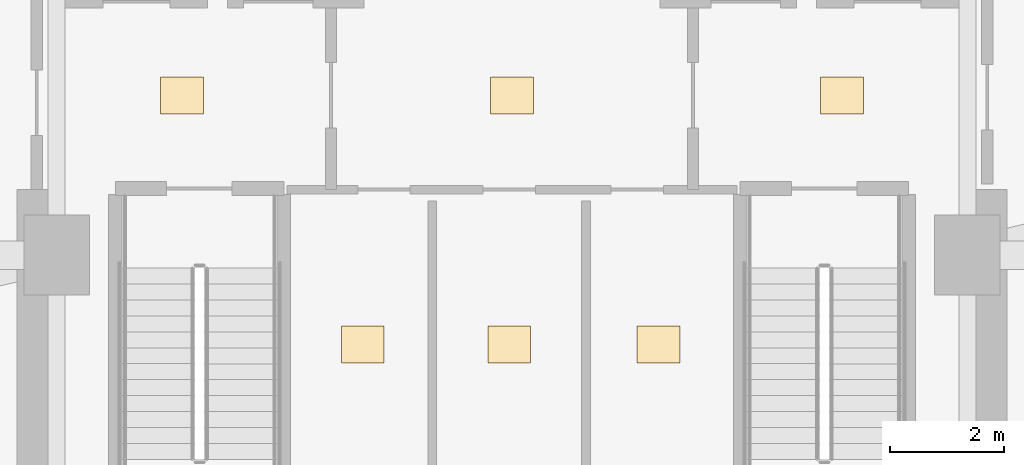
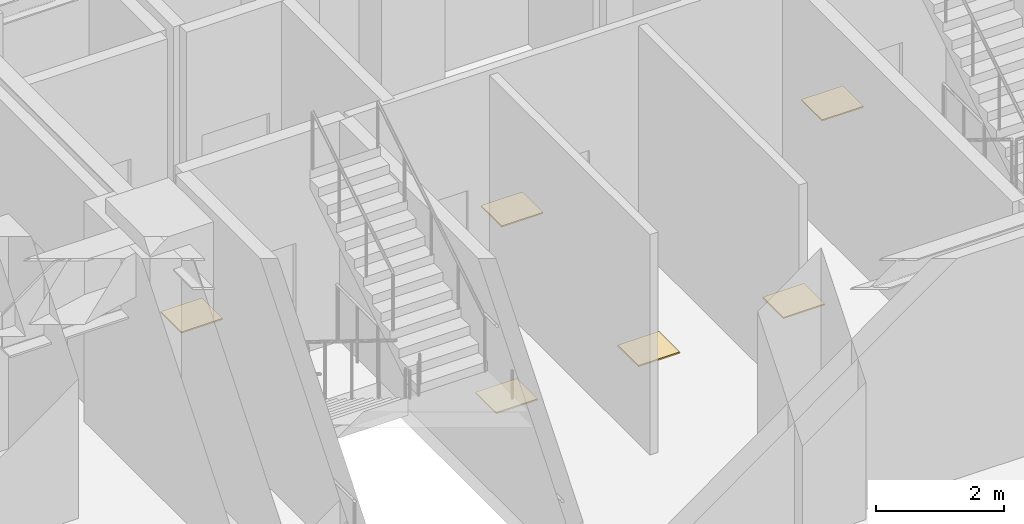
# One storey, part 9 of 9: 6 coverings.
"""IFC4 building model written with IfcOpenShell, lengths in metres."""

import ifcopenshell
import ifcopenshell.guid

model = None  # the IFC model being written
_history = None  # IfcOwnerHistory: only IFC2X3 demands one
_inside = {}  # id of a spatial element -> (the spatial element, [elements in it])
_under = {}  # id of a project, library or spatial element -> (it, [spatial elements below it])
_declared = {}  # id of a project -> (the project, [libraries it declares])
_typed = {}  # id of a type object -> (the type object, [elements of that type])
_made_of = {}  # id of a material, layer set ... -> (it, [elements and type objects made of it])


def new_model(schema):
    """Start an empty IFC model of exactly this schema.

    Asked for "IFC4X3", IfcOpenShell would pick the latest addendum, in which some entities
    have other attributes; the version numbers below select the first issue.
    IFC2X3 requires an IfcOwnerHistory on every rooted entity: one is made here for all.
    """
    global model, _history
    if schema == "IFC4X3":
        model = ifcopenshell.file(schema_version=(4, 3, 0, 0))
    else:
        model = ifcopenshell.file(schema=schema)
    _inside.clear()
    _under.clear()
    _declared.clear()
    _typed.clear()
    _made_of.clear()
    _history = None
    if model.schema == "IFC2X3":
        org = make("IfcOrganization", Name="unknown")
        user = make(
            "IfcPersonAndOrganization",
            ThePerson=make("IfcPerson", FamilyName="unknown"),
            TheOrganization=org,
        )
        app = make(
            "IfcApplication",
            ApplicationDeveloper=org,
            Version="unknown",
            ApplicationFullName="unknown",
            ApplicationIdentifier="unknown",
        )
        _history = make(
            "IfcOwnerHistory",
            OwningUser=user,
            OwningApplication=app,
            ChangeAction="ADDED",
            CreationDate=0,
        )
    return model


def make(cls, **values):
    """One entity of the class cls with the attributes given. An attribute that is None is left unset."""
    return model.create_entity(
        cls, **{name: value for name, value in values.items() if value is not None}
    )


def rooted(cls, **values):
    """An entity with a GlobalId (a new one), such as an element, a storey or a relation."""
    return make(cls, GlobalId=ifcopenshell.guid.new(), OwnerHistory=_history, **values)


def si_unit(unit_type, name, prefix=None):
    """IfcSIUnit, for example si_unit("LENGTHUNIT", "METRE", prefix="MILLI")."""
    return make("IfcSIUnit", UnitType=unit_type, Prefix=prefix, Name=name)


def assignment(units):
    """IfcUnitAssignment: the units of a project."""
    return None if units is None else make("IfcUnitAssignment", Units=units)


def point(xyz):
    """IfcCartesianPoint."""
    return None if xyz is None else make("IfcCartesianPoint", Coordinates=xyz)


def direction(xyz):
    """IfcDirection."""
    return None if xyz is None else make("IfcDirection", DirectionRatios=xyz)


def frame(location, z_axis=None, x_axis=None):
    """IfcAxis2Placement3D, a coordinate frame: its origin and axes. An axis left out is left unset."""
    return make(
        "IfcAxis2Placement3D",
        Location=point(location),
        Axis=direction(z_axis),
        RefDirection=direction(x_axis),
    )


def frame_2d(location, x_axis=None):
    """IfcAxis2Placement2D, a coordinate frame in the plane: its origin and x axis."""
    return make(
        "IfcAxis2Placement2D", Location=point(location), RefDirection=direction(x_axis)
    )


def origin():
    """The frame at (0, 0, 0) with its axes left unset."""
    return frame((0.0, 0.0, 0.0))


def origin_2d():
    """The frame at (0, 0) in the plane with its x axis left unset."""
    return frame_2d((0.0, 0.0))


def place(relative_to, where):
    """IfcLocalPlacement: puts the frame where relative to a parent placement (None: the world)."""
    return make(
        "IfcLocalPlacement", PlacementRelTo=relative_to, RelativePlacement=where
    )


def context(
    kind, dimensions, precision=None, world=None, true_north=None, identifier=None
):
    """IfcGeometricRepresentationContext, for example the 3D "Model" context."""
    return make(
        "IfcGeometricRepresentationContext",
        ContextIdentifier=identifier,
        ContextType=kind,
        CoordinateSpaceDimension=dimensions,
        Precision=precision,
        WorldCoordinateSystem=world,
        TrueNorth=true_north,
    )


def subcontext(parent, identifier, kind, view, scale=None):
    """IfcGeometricRepresentationSubContext, for example "Body" below "Model"."""
    return make(
        "IfcGeometricRepresentationSubContext",
        ContextIdentifier=identifier,
        ContextType=kind,
        ParentContext=parent,
        TargetScale=scale,
        TargetView=view,
    )


def project(units=None, contexts=None):
    """IfcProject with its units and contexts."""
    return rooted(
        "IfcProject",
        Name="project",
        RepresentationContexts=contexts,
        UnitsInContext=assignment(units),
    )


def spatial(cls, under=None, at=None, **own):
    """A site, building, storey or space (cls), placed at a placement, below another one or the project."""
    s = rooted(cls, ObjectPlacement=at, **own)
    if under is not None:
        _under.setdefault(under.id(), (under, []))[1].append(s)
    return s


def profile(cls, at=None, kind="AREA", **sizes):
    """A parametric profile (cls). Its sizes go by their IFC names, for example OverallWidth=200.0."""
    return make(cls, ProfileType=kind, Position=at, **sizes)


def rectangle(**sizes):
    """IfcRectangleProfileDef."""
    return profile("IfcRectangleProfileDef", **sizes)


def extrude(swept, where, along, depth):
    """IfcExtrudedAreaSolid: the profile swept, set in the frame where, extruded along a direction by depth."""
    return make(
        "IfcExtrudedAreaSolid",
        SweptArea=swept,
        Position=where,
        ExtrudedDirection=direction(along),
        Depth=depth,
    )


def shape(context_of_items, identifier, shape_type, items):
    """IfcShapeRepresentation: the items that make up one representation, for example the "Body"."""
    return make(
        "IfcShapeRepresentation",
        ContextOfItems=context_of_items,
        RepresentationIdentifier=identifier,
        RepresentationType=shape_type,
        Items=items,
    )


def material(Name=None, Category=None):
    """IfcMaterial."""
    return make("IfcMaterial", Name=Name, Category=Category)


def layer(
    of_material, thickness, ventilated=None, Name=None, Category=None, Priority=None
):
    """IfcMaterialLayer: one layer of a wall or slab, of a material (None: an air gap)."""
    return make(
        "IfcMaterialLayer",
        Material=of_material,
        LayerThickness=thickness,
        IsVentilated=ventilated,
        Name=Name,
        Category=Category,
        Priority=Priority,
    )


def layer_set(layers, Name=None):
    """IfcMaterialLayerSet."""
    return make("IfcMaterialLayerSet", MaterialLayers=layers, LayerSetName=Name)


def made_of(thing, what):
    """Note that an element or type object is made of a material, layer set ...; save() writes the relation."""
    if what is not None:
        _made_of.setdefault(what.id(), (what, []))[1].append(thing)
    return thing


def type_object(cls, material=None, **own):
    """A type object (cls), such as IfcWallType, which elements share."""
    return made_of(rooted(cls, **own), material)


def element(
    cls,
    number,
    at=None,
    inside=None,
    cuts=None,
    type_object=None,
    material=None,
    context=None,
    identifier="Body",
    shape_type=None,
    held_by="IfcProductDefinitionShape",
    body=None,
    shapes=None,
    **own,
):
    """One element of the class cls, such as IfcWall. Its Tag is "e" and its number.

    at: its placement. inside: the storey or other place that contains it. cuts: it is an
    opening in that element (IfcRelVoidsElement). A single representation is given by context,
    identifier, shape_type and body (its items); several are given by shapes. held_by: the class
    of the entity that holds the representations. save() writes the other relations.
    """
    e = rooted(cls, Tag="e%d" % number, ObjectPlacement=at, **own)
    if body is not None:
        shapes = [shape(context, identifier, shape_type, body)]
    if shapes is not None:
        e.Representation = make(held_by, Representations=shapes)
    if inside is not None:
        _inside.setdefault(inside.id(), (inside, []))[1].append(e)
    if cuts is not None:
        rooted(
            "IfcRelVoidsElement", RelatingBuildingElement=cuts, RelatedOpeningElement=e
        )
    if type_object is not None:
        _typed.setdefault(type_object.id(), (type_object, []))[1].append(e)
    return made_of(e, material)


def aggregate(whole, parts):
    """IfcRelAggregates: a whole, such as a stair, and the parts it consists of."""
    return rooted("IfcRelAggregates", RelatingObject=whole, RelatedObjects=parts)


def save(model, path):
    """Write the relations noted so far, then the file.

    IfcRelAggregates (storeys below a building ...), IfcRelContainedInSpatialStructure (elements
    in a storey), IfcRelDefinesByType, IfcRelAssociatesMaterial and IfcRelDeclares: one each for
    every whole, place, type object, material and project.
    """
    for whole, parts in _under.values():
        aggregate(whole, parts)
    for where, things in _inside.values():
        rooted(
            "IfcRelContainedInSpatialStructure",
            RelatedElements=things,
            RelatingStructure=where,
        )
    for kind, things in _typed.values():
        rooted("IfcRelDefinesByType", RelatedObjects=things, RelatingType=kind)
    for what, things in _made_of.values():
        rooted("IfcRelAssociatesMaterial", RelatedObjects=things, RelatingMaterial=what)
    for by, libraries in _declared.values():
        rooted("IfcRelDeclares", RelatingContext=by, RelatedDefinitions=libraries)
    model.write(path)


model = new_model("IFC4")

# Units and contexts
model_context = context("Model", 3, precision=1e-05, world=origin(), true_north=direction((0.0, 1.0)))
body_context = subcontext(model_context, "Body", "Model", "MODEL_VIEW")
ifc_project = project(units=[si_unit("LENGTHUNIT", "METRE"), si_unit("AREAUNIT", "SQUARE_METRE"), si_unit("VOLUMEUNIT", "CUBIC_METRE"), si_unit("PLANEANGLEUNIT", "RADIAN"), si_unit("MASSUNIT", "GRAM", prefix="KILO")], contexts=[model_context])

# Site, building, storey
site_placement = place(None, origin())
site = spatial("IfcSite", under=ifc_project, at=site_placement, CompositionType="ELEMENT")
building_placement = place(site_placement, origin())
building = spatial("IfcBuilding", under=site, at=building_placement, Name="Ndelora Gate Hotel", CompositionType="ELEMENT")
storey_placement = place(building_placement, frame((0.0, 0.0, -4.5)))
storey = spatial("IfcBuildingStorey", under=building, at=storey_placement, Name="B01", CompositionType="ELEMENT", Elevation=-4.5)

# Coverings
ifc_material = material(Name="Non-Slip Porcelain Wet-Room Tile", Category="ceramic")
ifc_layer = layer(ifc_material, 0.02490234375)
ifc_layer_set = layer_set([ifc_layer], Name="Non-Slip Porcelain Wet-Room Tile")
covering_type = type_object("IfcCoveringType", Name="COV-FLR-TILE", PredefinedType="FLOORING", material=ifc_layer_set)
for number, where, z_axis, x_axis, name in (
    (1, (-5.800048828125, 2.800048828125, 0.0), (0.0, 0.0, 1.0), (1.0, 0.0, 0.0), "B01 Firefighting Lift Lobby West Porcelain Tile Flooring"),
    (2, (5.800048828125, 2.800048828125, 0.0), (0.0, 0.0, 1.0), (1.0, 0.0, 0.0), "B01 Firefighting Lift Lobby East Porcelain Tile Flooring"),
    (3, (0.0, 2.800048828125, 0.0), (0.0, 0.0, 1.0), (1.0, 0.0, 0.0), "B01 Central Passenger Lift Lobby Porcelain Tile Flooring"),
    (4, (-2.625, -1.574951171875, 0.0), (0.0, 0.0, 1.0), (1.0, 0.0, 0.0), "B01 Core Cleaners Store Porcelain Tile Flooring"),
    (5, (-0.050048828125, -1.574951171875, 0.0), (0.0, 0.0, 1.0), (1.0, 0.0, 0.0), "B01 Core Telecoms Equipment Room Porcelain Tile Flooring"),
    (6, (2.574951171875, -1.574951171875, 0.0), (0.0, 0.0, 1.0), (1.0, 0.0, 0.0), "B01 Core Electrical Metering Room Porcelain Tile Flooring"),
):
    element("IfcCovering", number, at=place(storey_placement, frame(where, z_axis=z_axis, x_axis=x_axis)), inside=storey, type_object=covering_type, Name=name, PredefinedType="FLOORING", context=body_context, shape_type="SweptSolid", body=[
        extrude(rectangle(XDim=0.75, YDim=0.64990234375, at=origin_2d()), origin(), (0.0, 0.0, 1.0), 0.02490234375),
    ])

save(model, "model.ifc")
